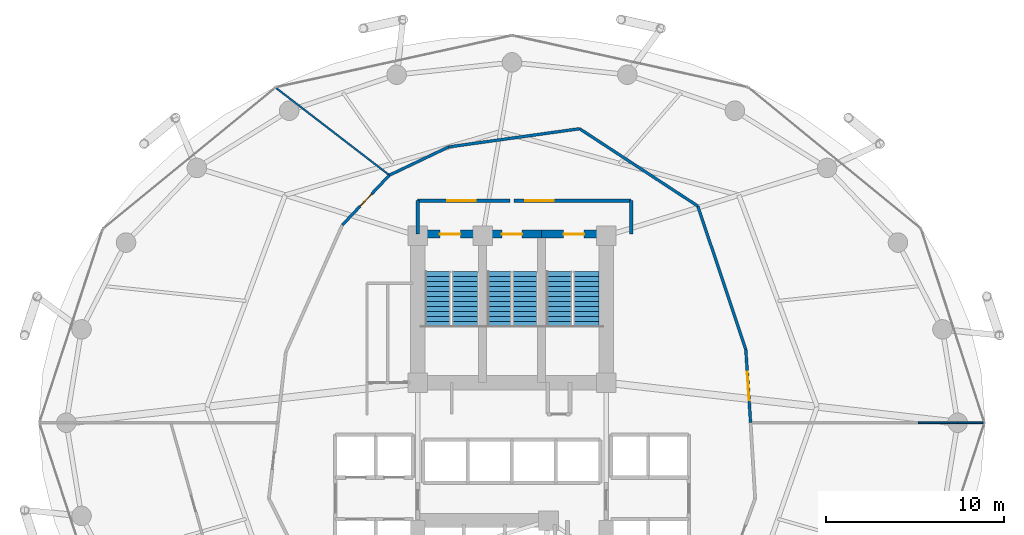
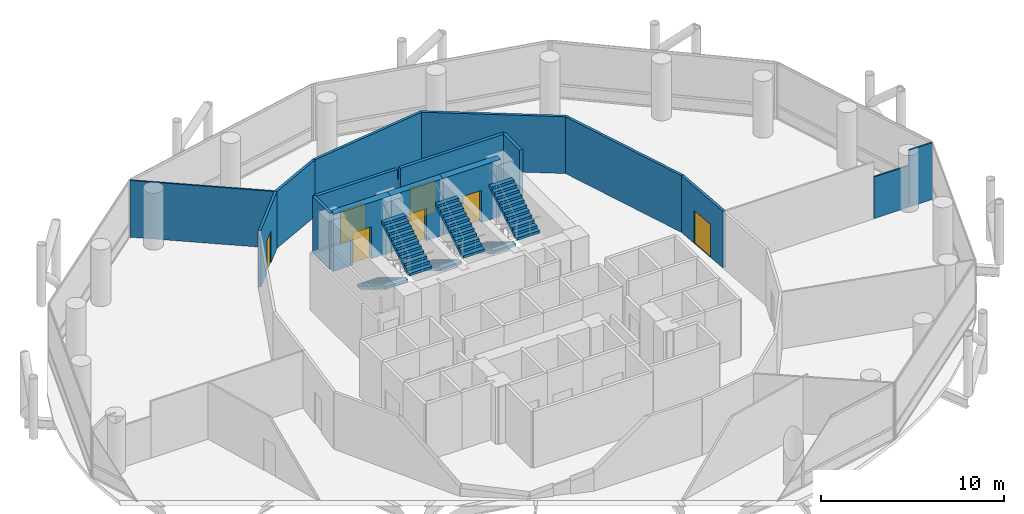
# One storey, part 23 of 24: 16 walls, 7 doors, 6 stair flights, 7 openings, 3 elements without a shape of their own.
"""IFC4 building model written with IfcOpenShell, lengths in metres."""

from ifc_helpers import new_model, si_unit, direction, frame, frame_2d, origin, place, context, subcontext, project, spatial, polyline, rectangle, outline, extrude, material, layer, layer_set, type_object, element, fill, aggregate, save


model = new_model("IFC4")

# Units and contexts
model_context = context("Model", 3, precision=1e-05, world=origin(), true_north=direction((0.0, 1.0)))
body_context = subcontext(model_context, "Body", "Model", "MODEL_VIEW")
ifc_project = project(units=[si_unit("LENGTHUNIT", "METRE"), si_unit("AREAUNIT", "SQUARE_METRE"), si_unit("VOLUMEUNIT", "CUBIC_METRE"), si_unit("PLANEANGLEUNIT", "RADIAN"), si_unit("MASSUNIT", "GRAM", prefix="KILO")], contexts=[model_context])

# Site, building, storey
site_placement = place(None, origin())
site = spatial("IfcSite", under=ifc_project, at=site_placement, CompositionType="ELEMENT")
building_placement = place(site_placement, origin())
building = spatial("IfcBuilding", under=site, at=building_placement, Name="Nuhasar Tower", CompositionType="ELEMENT")
storey_placement = place(building_placement, frame((0.0, 0.0, 41.25)))
storey = spatial("IfcBuildingStorey", under=building, at=storey_placement, Name="L09", CompositionType="ELEMENT", Elevation=41.25)

# Wall, opening, door
ifc_material_1 = material(Name="Concrete C50/60", Category="concrete")
ifc_layer_1 = layer(ifc_material_1, 0.449951171875)
ifc_layer_set_1 = layer_set([ifc_layer_1], Name="Concrete C50/60")
wall_type_1 = type_object("IfcWallType", Name="WL-CORE-450", PredefinedType="SHEAR", material=ifc_layer_set_1)
wall_1_placement = place(storey_placement, frame((37.35009765625, 37.39990234375, 0.0), z_axis=(0.0, 0.0, 1.0), x_axis=(-1.0, 0.0, 0.0)))
wall_1 = element("IfcWall", 1, at=wall_1_placement, inside=storey, type_object=wall_type_1, Name="L09 Stairwell Shear Wall ST01-N", PredefinedType="SHEAR", context=body_context, shape_type="SweptSolid", body=[
    extrude(rectangle(XDim=3.650146484375, YDim=0.449951171875, at=frame_2d((1.8251953125, 0.0))), origin(), (0.0, 0.0, 1.0), 3.7900390625),
])
opening_1_placement = place(wall_1_placement, frame((1.25, 0.0, 0.0)))
opening_1 = element("IfcOpeningElement", 2, at=opening_1_placement, cuts=wall_1, Name="Opening DS-01", PredefinedType="OPENING", context=body_context, shape_type="SweptSolid", body=[
    extrude(rectangle(XDim=1.14990234375, YDim=2.14990234375, at=frame_2d((0.574951171875, 1.074951171875))), frame((0.0, 0.23486328125, 0.0), z_axis=(0.0, -1.0, 0.0), x_axis=(1.0, 0.0, 0.0)), (0.0, 0.0, 1.0), 0.469970703125),
])
ifc_material_2 = material(Name="Steel S355", Category="steel")
door_type_1 = type_object("IfcDoorType", Name="DR-STAIR-FD120-1150", OperationType="NOTDEFINED", PredefinedType="DOOR", material=ifc_material_2)
door_1_placement = place(opening_1_placement, origin())
door_1 = element("IfcDoor", 3, at=door_1_placement, inside=storey, type_object=door_type_1, Name="L09 Exit Stair ST-01 Door", OperationType="SINGLE_SWING_RIGHT", OverallHeight=2.14990234375, OverallWidth=1.14990234375, PredefinedType="DOOR", context=body_context, shape_type="SweptSolid", body=[
    extrude(rectangle(XDim=1.14990234375, YDim=2.14990234375, at=frame_2d((0.574951171875, 1.074951171875))), frame((0.0, 0.02490234375, 0.0), z_axis=(0.0, -1.0, 0.0), x_axis=(1.0, 0.0, 0.0)), (0.0, 0.0, 1.0), 0.050048828125),
])
fill(opening_1, door_1)

wall_2_placement = place(storey_placement, frame((40.64990234375, 37.39990234375, 0.0), z_axis=(0.0, 0.0, 1.0), x_axis=(-1.0, 0.0, 0.0)))
wall_2 = element("IfcWall", 4, at=wall_2_placement, inside=storey, type_object=wall_type_1, Name="L09 Stairwell Shear Wall ST03-N", PredefinedType="SHEAR", context=body_context, shape_type="SweptSolid", body=[
    extrude(rectangle(XDim=3.2998046875, YDim=0.449951171875, at=frame_2d((1.64990234375, 0.0))), origin(), (0.0, 0.0, 1.0), 3.7900390625),
])
opening_2_placement = place(wall_2_placement, frame((1.074951171875, 0.0, 0.0)))
opening_2 = element("IfcOpeningElement", 5, at=opening_2_placement, cuts=wall_2, Name="Opening DS-01", PredefinedType="OPENING", context=body_context, shape_type="SweptSolid", body=[
    extrude(rectangle(XDim=1.14990234375, YDim=2.14990234375, at=frame_2d((0.574951171875, 1.074951171875))), frame((0.0, 0.23486328125, 0.0), z_axis=(0.0, -1.0, 0.0), x_axis=(1.0, 0.0, 0.0)), (0.0, 0.0, 1.0), 0.469970703125),
])
door_2_placement = place(opening_2_placement, origin())
door_2 = element("IfcDoor", 6, at=door_2_placement, inside=storey, type_object=door_type_1, Name="L09 Exit Stair ST-03 Door", OperationType="SINGLE_SWING_RIGHT", OverallHeight=2.14990234375, OverallWidth=1.14990234375, PredefinedType="DOOR", context=body_context, shape_type="SweptSolid", body=[
    extrude(rectangle(XDim=1.14990234375, YDim=2.14990234375, at=frame_2d((0.574951171875, 1.074951171875))), frame((0.0, 0.02490234375, 0.0), z_axis=(0.0, -1.0, 0.0), x_axis=(1.0, 0.0, 0.0)), (0.0, 0.0, 1.0), 0.050048828125),
])
fill(opening_2, door_2)

wall_3_placement = place(storey_placement, frame((44.300048828125, 37.39990234375, 0.0), z_axis=(0.0, 0.0, 1.0), x_axis=(-1.0, 0.0, 0.0)))
wall_3 = element("IfcWall", 7, at=wall_3_placement, inside=storey, type_object=wall_type_1, Name="L09 Stairwell Shear Wall ST02-N", PredefinedType="SHEAR", context=body_context, shape_type="SweptSolid", body=[
    extrude(rectangle(XDim=3.650146484375, YDim=0.449951171875, at=frame_2d((1.8251953125, 0.0))), origin(), (0.0, 0.0, 1.0), 3.7900390625),
])
opening_3_placement = place(wall_3_placement, frame((1.25, 0.0, 0.0)))
opening_3 = element("IfcOpeningElement", 8, at=opening_3_placement, cuts=wall_3, Name="Opening DS-01", PredefinedType="OPENING", context=body_context, shape_type="SweptSolid", body=[
    extrude(rectangle(XDim=1.14990234375, YDim=2.14990234375, at=frame_2d((0.574951171875, 1.074951171875))), frame((0.0, 0.23486328125, 0.0), z_axis=(0.0, -1.0, 0.0), x_axis=(1.0, 0.0, 0.0)), (0.0, 0.0, 1.0), 0.469970703125),
])
door_3_placement = place(opening_3_placement, origin())
door_3 = element("IfcDoor", 9, at=door_3_placement, inside=storey, type_object=door_type_1, Name="L09 Exit Stair ST-02 Door", OperationType="SINGLE_SWING_LEFT", OverallHeight=2.14990234375, OverallWidth=1.14990234375, PredefinedType="DOOR", context=body_context, shape_type="SweptSolid", body=[
    extrude(rectangle(XDim=1.14990234375, YDim=2.14990234375, at=frame_2d((0.574951171875, 1.074951171875))), frame((0.0, 0.02490234375, 0.0), z_axis=(0.0, -1.0, 0.0), x_axis=(1.0, 0.0, 0.0)), (0.0, 0.0, 1.0), 0.050048828125),
])
fill(opening_3, door_3)

ifc_material_3 = material(Name="Gypsum Board", Category="gypsum")
ifc_layer_2 = layer(ifc_material_3, 0.159912109375)
ifc_layer_set_2 = layer_set([ifc_layer_2], Name="Gypsum Board")
wall_type_2 = type_object("IfcWallType", Name="WL-CORR-160", PredefinedType="PARTITIONING", material=ifc_layer_set_2)
wall_4_placement = place(storey_placement, frame((52.14208984375, 30.904052734375, 0.0), z_axis=(0.0, 0.0, 1.0), x_axis=(0.065120257788, -0.997877423347, 0.0)))
wall_4 = element("IfcWall", 10, at=wall_4_placement, inside=storey, type_object=wall_type_2, Name="L09 Interior Partition CORR-00", PredefinedType="PARTITIONING", context=body_context, shape_type="SweptSolid", body=[
    extrude(rectangle(XDim=4.11279296875, YDim=0.159912109375, at=frame_2d((2.056396484375, 0.0))), origin(), (0.0, 0.0, 1.0), 3.7900390625),
])
opening_4_placement = place(wall_4_placement, frame((1.256103515625, 0.0, 0.0)))
opening_4 = element("IfcOpeningElement", 11, at=opening_4_placement, cuts=wall_4, Name="Opening DC-01", PredefinedType="OPENING", context=body_context, shape_type="SweptSolid", body=[
    extrude(rectangle(XDim=1.60009765625, YDim=2.199951171875, at=frame_2d((0.800048828125, 1.10009765625))), frame((0.0, 0.08984375, 0.0), z_axis=(0.0, -1.0, 0.0), x_axis=(1.0, 0.0, 0.0)), (0.0, 0.0, 1.0), 0.179931640625),
])
door_type_2 = type_object("IfcDoorType", Name="DR-CORR-FD60-1600", OperationType="DOUBLE_DOOR_SINGLE_SWING", PredefinedType="DOOR", material=ifc_material_2)
door_4_placement = place(opening_4_placement, origin())
door_4 = element("IfcDoor", 12, at=door_4_placement, inside=storey, type_object=door_type_2, Name="L09 Corporate Headquarters Open-Plan Trading Hall Entry Door", OperationType="DOUBLE_DOOR_SINGLE_SWING", OverallHeight=2.199951171875, OverallWidth=1.60009765625, PredefinedType="DOOR", context=body_context, shape_type="SweptSolid", body=[
    extrude(rectangle(XDim=1.60009765625, YDim=2.199951171875, at=frame_2d((0.800048828125, 1.10009765625))), frame((0.0, 0.02490234375, 0.0), z_axis=(0.0, -1.0, 0.0), x_axis=(1.0, 0.0, 0.0)), (0.0, 0.0, 1.0), 0.050048828125),
])
fill(opening_4, door_4)

# Walls
wall_5_placement = place(storey_placement, frame((52.14208984375, 30.904052734375, 0.0), z_axis=(0.0, 0.0, 1.0), x_axis=(-0.3169334414, 0.948447781231, 0.0)))
element("IfcWall", 13, at=wall_5_placement, inside=storey, type_object=wall_type_2, Name="L09 Interior Partition CORR-02", PredefinedType="PARTITIONING", context=body_context, shape_type="SweptSolid", body=[
    extrude(rectangle(XDim=8.509765625, YDim=0.159912109375, at=frame_2d((4.2548828125, 0.0))), origin(), (0.0, 0.0, 1.0), 3.7900390625),
])
wall_6_placement = place(storey_placement, frame((49.445068359375, 38.97509765625, 0.0), z_axis=(0.0, 0.0, 1.0), x_axis=(-0.836865632057, 0.547408361173, 0.0)))
element("IfcWall", 14, at=wall_6_placement, inside=storey, type_object=wall_type_2, Name="L09 Interior Partition CORR-06", PredefinedType="PARTITIONING", context=body_context, shape_type="SweptSolid", body=[
    extrude(rectangle(XDim=7.942626953125, YDim=0.159912109375, at=frame_2d((3.97119140625, 0.0))), origin(), (0.0, 0.0, 1.0), 3.7900390625),
])
wall_7_placement = place(storey_placement, frame((42.798095703125, 43.322998046875, 0.0), z_axis=(0.0, 0.0, 1.0), x_axis=(-0.990463778548, -0.13777337691, 0.0)))
element("IfcWall", 15, at=wall_7_placement, inside=storey, type_object=wall_type_2, Name="L09 Interior Partition CORR-10", PredefinedType="PARTITIONING", context=body_context, shape_type="SweptSolid", body=[
    extrude(rectangle(XDim=7.431884765625, YDim=0.159912109375, at=frame_2d((3.7158203125, 0.0))), origin(), (0.0, 0.0, 1.0), 3.7900390625),
])
wall_8_placement = place(storey_placement, frame((35.43701171875, 42.299072265625, 0.0), z_axis=(0.0, 0.0, 1.0), x_axis=(-0.902614367428, -0.430450117565, 0.0)))
element("IfcWall", 16, at=wall_8_placement, inside=storey, type_object=wall_type_2, Name="L09 Interior Partition CORR-14", PredefinedType="PARTITIONING", context=body_context, shape_type="SweptSolid", body=[
    extrude(rectangle(XDim=3.687255859375, YDim=0.159912109375, at=frame_2d((1.84375, 0.0))), origin(), (0.0, 0.0, 1.0), 3.7900390625),
])

# Wall, opening, door
wall_9_placement = place(storey_placement, frame((29.466064453125, 37.9130859375, 0.0), z_axis=(0.0, 0.0, 1.0), x_axis=(0.686552760942, 0.727079986276, 0.0)))
wall_9 = element("IfcWall", 17, at=wall_9_placement, inside=storey, type_object=wall_type_2, Name="L09 Interior Partition CORR-16", PredefinedType="PARTITIONING", context=body_context, shape_type="SweptSolid", body=[
    extrude(rectangle(XDim=3.849365234375, YDim=0.159912109375, at=frame_2d((1.9248046875, 0.0))), origin(), (0.0, 0.0, 1.0), 3.7900390625),
])
opening_5_placement = place(wall_9_placement, frame((1.449951171875, 0.0, 0.0)))
opening_5 = element("IfcOpeningElement", 18, at=opening_5_placement, cuts=wall_9, Name="Opening DO-01", PredefinedType="OPENING", context=body_context, shape_type="SweptSolid", body=[
    extrude(rectangle(XDim=0.949951171875, YDim=2.14990234375, at=frame_2d((0.47509765625, 1.074951171875))), frame((0.0, 0.08984375, 0.0), z_axis=(0.0, -1.0, 0.0), x_axis=(1.0, 0.0, 0.0)), (0.0, 0.0, 1.0), 0.179931640625),
])
ifc_material_4 = material(Name="Timber Oak", Category="wood")
door_type_3 = type_object("IfcDoorType", Name="DR-OFFICE-FD30-950", OperationType="NOTDEFINED", PredefinedType="DOOR", material=ifc_material_4)
door_5_placement = place(opening_5_placement, origin())
door_5 = element("IfcDoor", 19, at=door_5_placement, inside=storey, type_object=door_type_3, Name="L09 Townhall Lecture Room Entry Door", OperationType="SINGLE_SWING_RIGHT", OverallHeight=2.14990234375, OverallWidth=0.949951171875, PredefinedType="DOOR", context=body_context, shape_type="SweptSolid", body=[
    extrude(rectangle(XDim=0.949951171875, YDim=2.14990234375, at=frame_2d((0.47509765625, 1.074951171875))), frame((0.0, 0.02490234375, 0.0), z_axis=(0.0, -1.0, 0.0), x_axis=(1.0, 0.0, 0.0)), (0.0, 0.0, 1.0), 0.050048828125),
])
fill(opening_5, door_5)

# Walls
ifc_material_5 = material(Name="Concrete C45/55", Category="concrete")
ifc_layer_3 = layer(ifc_material_5, 0.199951171875)
ifc_layer_set_3 = layer_set([ifc_layer_3], Name="Concrete C45/55")
wall_type_3 = type_object("IfcWallType", Name="WL-LOBBY-200", PredefinedType="SOLIDWALL", material=ifc_layer_set_3)
for number, where, z_axis, x_axis, name in (
    (20, (33.699951171875, 37.39990234375, 0.0), (0.0, 0.0, 1.0), (0.0, 1.0, 0.0), "L09 Interior Partition NSL-W"),
    (21, (45.699951171875, 37.39990234375, 0.0), (0.0, 0.0, 1.0), (0.0, 1.0, 0.0), "L09 Interior Partition NSL-E"),
):
    element("IfcWall", number, at=place(storey_placement, frame(where, z_axis=z_axis, x_axis=x_axis)), inside=storey, type_object=wall_type_3, Name=name, PredefinedType="SOLIDWALL", context=body_context, shape_type="SweptSolid", body=[
        extrude(rectangle(XDim=1.880126953125, YDim=0.199951171875, at=frame_2d((0.93994140625, 0.0))), origin(), (0.0, 0.0, 1.0), 3.7900390625),
    ])

# Wall, opening, door
wall_10_placement = place(storey_placement, frame((38.89990234375, 39.280029296875, 0.0), z_axis=(0.0, 0.0, 1.0), x_axis=(-1.0, 0.0, 0.0)))
wall_10 = element("IfcWall", 22, at=wall_10_placement, inside=storey, type_object=wall_type_3, Name="L09 Interior Partition NSL-N1", PredefinedType="SOLIDWALL", context=body_context, shape_type="SweptSolid", body=[
    extrude(rectangle(XDim=5.199951171875, YDim=0.199951171875, at=frame_2d((2.60009765625, 0.0))), origin(), (0.0, 0.0, 1.0), 3.7900390625),
])
opening_6_placement = place(wall_10_placement, frame((1.949951171875, 0.0, 0.0)))
opening_6 = element("IfcOpeningElement", 23, at=opening_6_placement, cuts=wall_10, Name="Opening DC-01", PredefinedType="OPENING", context=body_context, shape_type="SweptSolid", body=[
    extrude(rectangle(XDim=1.60009765625, YDim=2.199951171875, at=frame_2d((0.800048828125, 1.10009765625))), frame((0.0, 0.10986328125, 0.0), z_axis=(0.0, -1.0, 0.0), x_axis=(1.0, 0.0, 0.0)), (0.0, 0.0, 1.0), 0.219970703125),
])
door_6_placement = place(opening_6_placement, origin())
door_6 = element("IfcDoor", 24, at=door_6_placement, inside=storey, type_object=door_type_2, Name="L09 North Stair Lobby West Door", OperationType="DOUBLE_DOOR_SINGLE_SWING", OverallHeight=2.199951171875, OverallWidth=1.60009765625, PredefinedType="DOOR", context=body_context, shape_type="SweptSolid", body=[
    extrude(rectangle(XDim=1.60009765625, YDim=2.199951171875, at=frame_2d((0.800048828125, 1.10009765625))), frame((0.0, 0.02490234375, 0.0), z_axis=(0.0, -1.0, 0.0), x_axis=(1.0, 0.0, 0.0)), (0.0, 0.0, 1.0), 0.050048828125),
])
fill(opening_6, door_6)

wall_11_placement = place(storey_placement, frame((45.699951171875, 39.280029296875, 0.0), z_axis=(0.0, 0.0, 1.0), x_axis=(-1.0, 0.0, 0.0)))
wall_11 = element("IfcWall", 25, at=wall_11_placement, inside=storey, type_object=wall_type_3, Name="L09 Interior Partition NSL-N2", PredefinedType="SOLIDWALL", context=body_context, shape_type="SweptSolid", body=[
    extrude(rectangle(XDim=6.599853515625, YDim=0.199951171875, at=frame_2d((3.2998046875, 0.0))), origin(), (0.0, 0.0, 1.0), 3.7900390625),
])
opening_7_placement = place(wall_11_placement, frame((4.35009765625, 0.0, 0.0)))
opening_7 = element("IfcOpeningElement", 26, at=opening_7_placement, cuts=wall_11, Name="Opening DC-01", PredefinedType="OPENING", context=body_context, shape_type="SweptSolid", body=[
    extrude(rectangle(XDim=1.60009765625, YDim=2.199951171875, at=frame_2d((0.800048828125, 1.10009765625))), frame((0.0, 0.10986328125, 0.0), z_axis=(0.0, -1.0, 0.0), x_axis=(1.0, 0.0, 0.0)), (0.0, 0.0, 1.0), 0.219970703125),
])
door_7_placement = place(opening_7_placement, origin())
door_7 = element("IfcDoor", 27, at=door_7_placement, inside=storey, type_object=door_type_2, Name="L09 North Stair Lobby East Door", OperationType="DOUBLE_DOOR_SINGLE_SWING", OverallHeight=2.199951171875, OverallWidth=1.60009765625, PredefinedType="DOOR", context=body_context, shape_type="SweptSolid", body=[
    extrude(rectangle(XDim=1.60009765625, YDim=2.199951171875, at=frame_2d((0.800048828125, 1.10009765625))), frame((0.0, 0.02490234375, 0.0), z_axis=(0.0, -1.0, 0.0), x_axis=(1.0, 0.0, 0.0)), (0.0, 0.0, 1.0), 0.050048828125),
])
fill(opening_7, door_7)

# Walls
ifc_material_6 = material(Name="Aluminium 6063-T6", Category="aluminium")
ifc_layer_4 = layer(ifc_material_6, 0.10009765625)
ifc_layer_set_4 = layer_set([ifc_layer_4], Name="Aluminium 6063-T6")
wall_type_4 = type_object("IfcWallType", Name="WL-MOVABLE-100", PredefinedType="MOVABLE", material=ifc_layer_set_4)
wall_12_placement = place(storey_placement, frame((61.840087890625, 26.800048828125, 0.0), z_axis=(0.0, 0.0, 1.0), x_axis=(1.0, 0.0, 0.0)))
element("IfcWall", 28, at=wall_12_placement, inside=storey, type_object=wall_type_4, Name="L09 Interior Partition ORAD-00", PredefinedType="MOVABLE", context=body_context, shape_type="SweptSolid", body=[
    extrude(rectangle(XDim=2.2158203125, YDim=0.10009765625, at=frame_2d((1.10791015625, 0.0))), origin(), (0.0, 0.0, 1.0), 2.780029296875),
])
wall_13_placement = place(storey_placement, frame((64.055908203125, 26.800048828125, 0.0), z_axis=(0.0, 0.0, 1.0), x_axis=(1.0, 0.0, 0.0)))
element("IfcWall", 29, at=wall_13_placement, inside=storey, type_object=wall_type_4, Name="L09 Interior Partition ORAD-00", PredefinedType="MOVABLE", context=body_context, shape_type="SweptSolid", body=[
    extrude(rectangle(XDim=1.468994140625, YDim=0.10009765625, at=frame_2d((0.734375, 0.0))), origin(), (0.0, 0.0, 1.0), 3.7900390625),
])
wall_14_placement = place(storey_placement, frame((32.10888671875, 40.7119140625, 0.0), z_axis=(0.0, 0.0, 1.0), x_axis=(-0.792537044835, 0.609823771728, 0.0)))
element("IfcWall", 30, at=wall_14_placement, inside=storey, type_object=wall_type_4, Name="L09 Interior Partition ORAD-16", PredefinedType="MOVABLE", context=body_context, shape_type="SweptSolid", body=[
    extrude(rectangle(XDim=8.03857421875, YDim=0.10009765625, at=frame_2d((4.019287109375, 0.0))), origin(), (0.0, 0.0, 1.0), 3.7900390625),
])

# Stair, stair flights
stair_type_1 = type_object("IfcStairType", Name="STR-ST-01-2F-24R-1688", PredefinedType="HALF_TURN_STAIR", material=ifc_material_5)
stair_1_placement = place(storey_placement, origin())
stair_1 = element("IfcStair", 31, at=stair_1_placement, inside=storey, type_object=stair_type_1, Name="L09 Exit Stair ST-01", PredefinedType="HALF_TURN_STAIR")
stair_flight_type_1 = type_object("IfcStairFlightType", Name="SFL-ST-01-12R-1688", PredefinedType="STRAIGHT", material=ifc_material_5)
stair_flight_1_placement = place(storey_placement, frame((34.830078125, 35.284912109375, 0.0), z_axis=(0.0, 0.0, 1.0), x_axis=(0.0, -1.0, 0.0)))
stair_flight_1 = element("IfcStairFlight", 32, at=stair_flight_1_placement, type_object=stair_flight_type_1, Name="ST-01 flight 1", NumberOfRisers=12, NumberOfTreads=11, PredefinedType="STRAIGHT", RiserHeight=0.16875, TreadLength=0.28, context=body_context, shape_type="SweptSolid", body=[
    extrude(outline(polyline([(0.0, 0.0), (0.0, 0.168701171875), (0.280029296875, 0.168701171875), (0.280029296875, 0.33740234375), (0.56005859375, 0.33740234375), (0.56005859375, 0.50634765625), (0.840087890625, 0.50634765625), (0.840087890625, 0.675048828125), (1.1201171875, 0.675048828125), (1.1201171875, 0.84375), (1.39990234375, 0.84375), (1.39990234375, 1.012451171875), (1.679931640625, 1.012451171875), (1.679931640625, 1.18115234375), (1.9599609375, 1.18115234375), (1.9599609375, 1.35009765625), (2.239990234375, 1.35009765625), (2.239990234375, 1.518798828125), (2.52001953125, 1.518798828125), (2.52001953125, 1.6875), (2.800048828125, 1.6875), (2.800048828125, 1.856201171875), (3.080078125, 1.856201171875), (3.080078125, 2.02490234375), (3.080078125, 1.66943359375), (0.309814453125, 0.0), (0.0, 0.0)])), frame((0.0, 0.7099609375, 0.0), z_axis=(0.0, -1.0, 0.0), x_axis=(1.0, 0.0, 0.0)), (0.0, 0.0, 1.0), 1.419921875),
])
stair_flight_2_placement = place(storey_placement, frame((36.35009765625, 32.205078125, 2.02490234375), z_axis=(0.0, 0.0, 1.0), x_axis=(0.0, 1.0, 0.0)))
stair_flight_2 = element("IfcStairFlight", 33, at=stair_flight_2_placement, type_object=stair_flight_type_1, Name="ST-01 flight 2", NumberOfRisers=12, NumberOfTreads=11, PredefinedType="STRAIGHT", RiserHeight=0.16875, TreadLength=0.28, context=body_context, shape_type="SweptSolid", body=[
    extrude(outline(polyline([(0.0, 0.0), (0.0, 0.168701171875), (0.280029296875, 0.168701171875), (0.280029296875, 0.33740234375), (0.56005859375, 0.33740234375), (0.56005859375, 0.50634765625), (0.840087890625, 0.50634765625), (0.840087890625, 0.675048828125), (1.1201171875, 0.675048828125), (1.1201171875, 0.84375), (1.39990234375, 0.84375), (1.39990234375, 1.012451171875), (1.679931640625, 1.012451171875), (1.679931640625, 1.18115234375), (1.9599609375, 1.18115234375), (1.9599609375, 1.35009765625), (2.239990234375, 1.35009765625), (2.239990234375, 1.518798828125), (2.52001953125, 1.518798828125), (2.52001953125, 1.6875), (2.800048828125, 1.6875), (2.800048828125, 1.856201171875), (3.080078125, 1.856201171875), (3.080078125, 2.02490234375), (3.080078125, 1.66943359375), (0.309814453125, 0.0), (0.0, 0.0)])), frame((0.0, 0.7099609375, 0.0), z_axis=(0.0, -1.0, 0.0), x_axis=(1.0, 0.0, 0.0)), (0.0, 0.0, 1.0), 1.419921875),
])
aggregate(stair_1, [stair_flight_1, stair_flight_2])

stair_type_2 = type_object("IfcStairType", Name="STR-ST-02-2F-24R-1688", PredefinedType="HALF_TURN_STAIR", material=ifc_material_5)
stair_2_placement = place(storey_placement, origin())
stair_2 = element("IfcStair", 34, at=stair_2_placement, inside=storey, type_object=stair_type_2, Name="L09 Exit Stair ST-02", PredefinedType="HALF_TURN_STAIR")
stair_flight_type_2 = type_object("IfcStairFlightType", Name="SFL-ST-02-12R-1688", PredefinedType="STRAIGHT", material=ifc_material_5)
stair_flight_3_placement = place(storey_placement, frame((41.64990234375, 35.284912109375, 0.0), z_axis=(0.0, 0.0, 1.0), x_axis=(0.0, -1.0, 0.0)))
stair_flight_3 = element("IfcStairFlight", 35, at=stair_flight_3_placement, type_object=stair_flight_type_2, Name="ST-02 flight 1", NumberOfRisers=12, NumberOfTreads=11, PredefinedType="STRAIGHT", RiserHeight=0.16875, TreadLength=0.28, context=body_context, shape_type="SweptSolid", body=[
    extrude(outline(polyline([(0.0, 0.0), (0.0, 0.168701171875), (0.280029296875, 0.168701171875), (0.280029296875, 0.33740234375), (0.56005859375, 0.33740234375), (0.56005859375, 0.50634765625), (0.840087890625, 0.50634765625), (0.840087890625, 0.675048828125), (1.1201171875, 0.675048828125), (1.1201171875, 0.84375), (1.39990234375, 0.84375), (1.39990234375, 1.012451171875), (1.679931640625, 1.012451171875), (1.679931640625, 1.18115234375), (1.9599609375, 1.18115234375), (1.9599609375, 1.35009765625), (2.239990234375, 1.35009765625), (2.239990234375, 1.518798828125), (2.52001953125, 1.518798828125), (2.52001953125, 1.6875), (2.800048828125, 1.6875), (2.800048828125, 1.856201171875), (3.080078125, 1.856201171875), (3.080078125, 2.02490234375), (3.080078125, 1.66943359375), (0.309814453125, 0.0), (0.0, 0.0)])), frame((0.0, 0.7099609375, 0.0), z_axis=(0.0, -1.0, 0.0), x_axis=(1.0, 0.0, 0.0)), (0.0, 0.0, 1.0), 1.419921875),
])
stair_flight_4_placement = place(storey_placement, frame((43.169921875, 32.205078125, 2.02490234375), z_axis=(0.0, 0.0, 1.0), x_axis=(0.0, 1.0, 0.0)))
stair_flight_4 = element("IfcStairFlight", 36, at=stair_flight_4_placement, type_object=stair_flight_type_2, Name="ST-02 flight 2", NumberOfRisers=12, NumberOfTreads=11, PredefinedType="STRAIGHT", RiserHeight=0.16875, TreadLength=0.28, context=body_context, shape_type="SweptSolid", body=[
    extrude(outline(polyline([(0.0, 0.0), (0.0, 0.168701171875), (0.280029296875, 0.168701171875), (0.280029296875, 0.33740234375), (0.56005859375, 0.33740234375), (0.56005859375, 0.50634765625), (0.840087890625, 0.50634765625), (0.840087890625, 0.675048828125), (1.1201171875, 0.675048828125), (1.1201171875, 0.84375), (1.39990234375, 0.84375), (1.39990234375, 1.012451171875), (1.679931640625, 1.012451171875), (1.679931640625, 1.18115234375), (1.9599609375, 1.18115234375), (1.9599609375, 1.35009765625), (2.239990234375, 1.35009765625), (2.239990234375, 1.518798828125), (2.52001953125, 1.518798828125), (2.52001953125, 1.6875), (2.800048828125, 1.6875), (2.800048828125, 1.856201171875), (3.080078125, 1.856201171875), (3.080078125, 2.02490234375), (3.080078125, 1.66943359375), (0.309814453125, 0.0), (0.0, 0.0)])), frame((0.0, 0.7099609375, 0.0), z_axis=(0.0, -1.0, 0.0), x_axis=(1.0, 0.0, 0.0)), (0.0, 0.0, 1.0), 1.419921875),
])
aggregate(stair_2, [stair_flight_3, stair_flight_4])

stair_type_3 = type_object("IfcStairType", Name="STR-ST-03-2F-24R-1688", PredefinedType="HALF_TURN_STAIR", material=ifc_material_5)
stair_3_placement = place(storey_placement, origin())
stair_3 = element("IfcStair", 37, at=stair_3_placement, inside=storey, type_object=stair_type_3, Name="L09 Exit Stair ST-03", PredefinedType="HALF_TURN_STAIR")
stair_flight_type_3 = type_object("IfcStairFlightType", Name="SFL-ST-03-12R-1688", PredefinedType="STRAIGHT", material=ifc_material_5)
stair_flight_5_placement = place(storey_placement, frame((38.280029296875, 35.284912109375, 0.0), z_axis=(0.0, 0.0, 1.0), x_axis=(0.0, -1.0, 0.0)))
stair_flight_5 = element("IfcStairFlight", 38, at=stair_flight_5_placement, type_object=stair_flight_type_3, Name="ST-03 flight 1", NumberOfRisers=12, NumberOfTreads=11, PredefinedType="STRAIGHT", RiserHeight=0.16875, TreadLength=0.28, context=body_context, shape_type="SweptSolid", body=[
    extrude(outline(polyline([(0.0, 0.0), (0.0, 0.168701171875), (0.280029296875, 0.168701171875), (0.280029296875, 0.33740234375), (0.56005859375, 0.33740234375), (0.56005859375, 0.50634765625), (0.840087890625, 0.50634765625), (0.840087890625, 0.675048828125), (1.1201171875, 0.675048828125), (1.1201171875, 0.84375), (1.39990234375, 0.84375), (1.39990234375, 1.012451171875), (1.679931640625, 1.012451171875), (1.679931640625, 1.18115234375), (1.9599609375, 1.18115234375), (1.9599609375, 1.35009765625), (2.239990234375, 1.35009765625), (2.239990234375, 1.518798828125), (2.52001953125, 1.518798828125), (2.52001953125, 1.6875), (2.800048828125, 1.6875), (2.800048828125, 1.856201171875), (3.080078125, 1.856201171875), (3.080078125, 2.02490234375), (3.080078125, 1.66943359375), (0.309814453125, 0.0), (0.0, 0.0)])), frame((0.0, 0.669921875, 0.0), z_axis=(0.0, -1.0, 0.0), x_axis=(1.0, 0.0, 0.0)), (0.0, 0.0, 1.0), 1.340087890625),
])
stair_flight_6_placement = place(storey_placement, frame((39.719970703125, 32.205078125, 2.02490234375), z_axis=(0.0, 0.0, 1.0), x_axis=(0.0, 1.0, 0.0)))
stair_flight_6 = element("IfcStairFlight", 39, at=stair_flight_6_placement, type_object=stair_flight_type_3, Name="ST-03 flight 2", NumberOfRisers=12, NumberOfTreads=11, PredefinedType="STRAIGHT", RiserHeight=0.16875, TreadLength=0.28, context=body_context, shape_type="SweptSolid", body=[
    extrude(outline(polyline([(0.0, 0.0), (0.0, 0.168701171875), (0.280029296875, 0.168701171875), (0.280029296875, 0.33740234375), (0.56005859375, 0.33740234375), (0.56005859375, 0.50634765625), (0.840087890625, 0.50634765625), (0.840087890625, 0.675048828125), (1.1201171875, 0.675048828125), (1.1201171875, 0.84375), (1.39990234375, 0.84375), (1.39990234375, 1.012451171875), (1.679931640625, 1.012451171875), (1.679931640625, 1.18115234375), (1.9599609375, 1.18115234375), (1.9599609375, 1.35009765625), (2.239990234375, 1.35009765625), (2.239990234375, 1.518798828125), (2.52001953125, 1.518798828125), (2.52001953125, 1.6875), (2.800048828125, 1.6875), (2.800048828125, 1.856201171875), (3.080078125, 1.856201171875), (3.080078125, 2.02490234375), (3.080078125, 1.66943359375), (0.309814453125, 0.0), (0.0, 0.0)])), frame((0.0, 0.669921875, 0.0), z_axis=(0.0, -1.0, 0.0), x_axis=(1.0, 0.0, 0.0)), (0.0, 0.0, 1.0), 1.340087890625),
])
aggregate(stair_3, [stair_flight_5, stair_flight_6])

save(model, "model.ifc")
